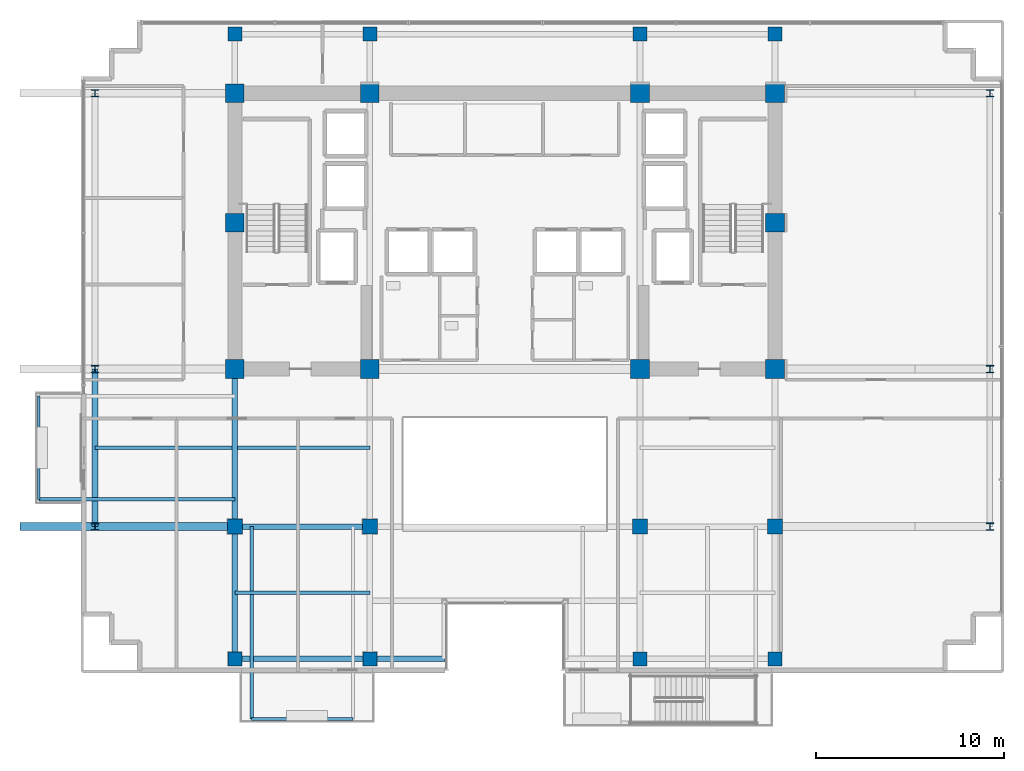
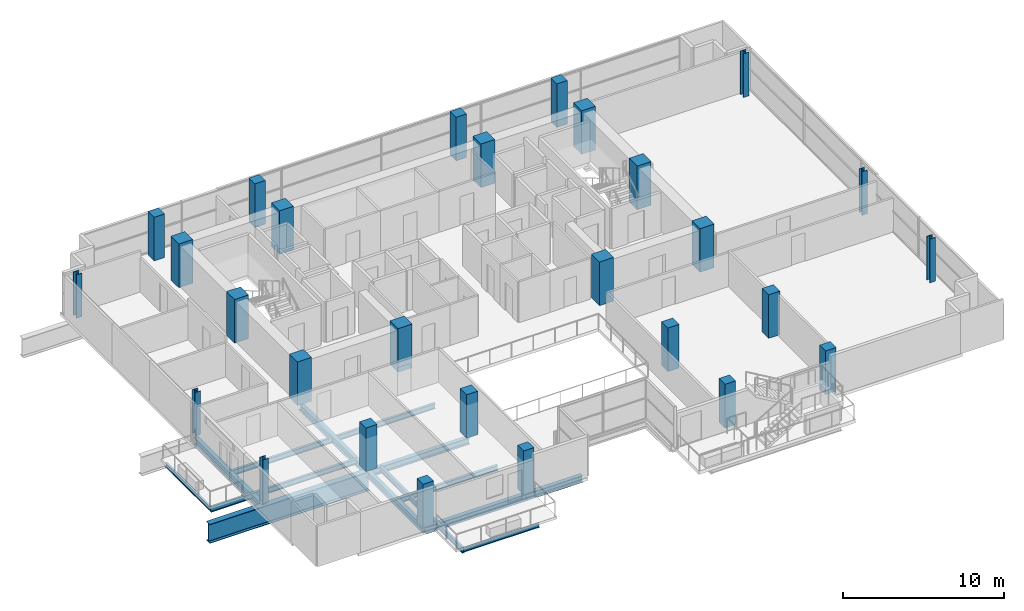
# One storey, part 1 of 23: 28 columns, 14 beams.
"""IFC4 building model written with IfcOpenShell, lengths in metres."""

from ifc_helpers import new_model, si_unit, direction, frame, origin, origin_2d, place, context, subcontext, project, spatial, rectangle, i_section, extrude, material, material_profile, profile_set, type_object, element, save


model = new_model("IFC4")

# Units and contexts
model_context = context("Model", 3, precision=1e-05, world=origin(), true_north=direction((0.0, 1.0)))
body_context = subcontext(model_context, "Body", "Model", "MODEL_VIEW")
ifc_project = project(units=[si_unit("LENGTHUNIT", "METRE"), si_unit("AREAUNIT", "SQUARE_METRE"), si_unit("VOLUMEUNIT", "CUBIC_METRE"), si_unit("PLANEANGLEUNIT", "RADIAN"), si_unit("MASSUNIT", "GRAM", prefix="KILO")], contexts=[model_context])

# Site, building, storey
site_placement = place(None, origin())
site = spatial("IfcSite", under=ifc_project, at=site_placement, CompositionType="ELEMENT")
building_placement = place(site_placement, origin())
building = spatial("IfcBuilding", under=site, at=building_placement, Name="Zarnakvel Exchange Tower", CompositionType="ELEMENT")
storey_placement = place(building_placement, frame((0.0, 0.0, 172.60009765625)))
storey = spatial("IfcBuildingStorey", under=building, at=storey_placement, Name="L48", CompositionType="ELEMENT", Elevation=172.60009765625)

# Columns
ifc_material_1 = material(Name="Concrete C60/75", Category="concrete")
ifc_material_profile_1 = material_profile(ifc_material_1, rectangle(XDim=1.0, YDim=1.0, at=origin_2d()))
ifc_profile_set_1 = profile_set([ifc_material_profile_1], Name="Concrete C60/75")
column_type_1 = type_object("IfcColumnType", Name="CC-02", PredefinedType="COLUMN", material=ifc_profile_set_1)
for number, where, z_axis, x_axis, name in (
    (1, (-14.39990234375, -1.199951171875, 0.0), (0.0, 0.0, 1.0), (1.0, 0.0, 0.0), "L48 Column C-4D (CC-02)"),
    (2, (-7.199951171875, -1.199951171875, 0.0), (0.0, 0.0, 1.0), (1.0, 0.0, 0.0), "L48 Column C-5D (CC-02)"),
    (3, (7.199951171875, -1.199951171875, 0.0), (0.0, 0.0, 1.0), (1.0, 0.0, 0.0), "L48 Column C-8D (CC-02)"),
    (4, (14.39990234375, -1.199951171875, 0.0), (0.0, 0.0, 1.0), (1.0, 0.0, 0.0), "L48 Column C-9D (CC-02)"),
    (5, (-14.39990234375, 6.60009765625, 0.0), (0.0, 0.0, 1.0), (1.0, 0.0, 0.0), "L48 Column C-4E (CC-02)"),
    (6, (14.39990234375, 6.60009765625, 0.0), (0.0, 0.0, 1.0), (1.0, 0.0, 0.0), "L48 Column C-9E (CC-02)"),
    (7, (-14.39990234375, 13.5, 0.0), (0.0, 0.0, 1.0), (1.0, 0.0, 0.0), "L48 Column C-4F (CC-02)"),
    (8, (-7.199951171875, 13.5, 0.0), (0.0, 0.0, 1.0), (1.0, 0.0, 0.0), "L48 Column C-5F (CC-02)"),
    (9, (7.199951171875, 13.5, 0.0), (0.0, 0.0, 1.0), (1.0, 0.0, 0.0), "L48 Column C-8F (CC-02)"),
    (10, (14.39990234375, 13.5, 0.0), (0.0, 0.0, 1.0), (1.0, 0.0, 0.0), "L48 Column C-9F (CC-02)"),
):
    element("IfcColumn", number, at=place(storey_placement, frame(where, z_axis=z_axis, x_axis=x_axis)), inside=storey, type_object=column_type_1, Name=name, PredefinedType="COLUMN", context=body_context, shape_type="SweptSolid", body=[
        extrude(rectangle(XDim=1.0, YDim=1.0, at=origin_2d()), origin(), (0.0, 0.0, 1.0), 3.2998046875),
    ])
ifc_material_2 = material(Name="Steel S355", Category="steel")
ifc_material_profile_2 = material_profile(ifc_material_2, i_section(OverallWidth=0.39892578125, OverallDepth=0.3935546875, WebThickness=0.022705078125, FlangeThickness=0.03662109375, FilletRadius=0.01513671875, at=origin_2d()))
ifc_profile_set_2 = profile_set([ifc_material_profile_2], Name="Steel S355")
column_type_2 = type_object("IfcColumnType", Name="SC-04", PredefinedType="COLUMN", material=ifc_profile_set_2)
for number, where, z_axis, x_axis, name in (
    (11, (-21.85009765625, -9.60009765625, 0.0), (0.0, 0.0, 1.0), (1.0, 0.0, 0.0), "L48 Column TW-C (SC-04)"),
    (12, (25.85009765625, -9.60009765625, 0.0), (0.0, 0.0, 1.0), (1.0, 0.0, 0.0), "L48 Column TE-C (SC-04)"),
    (13, (-21.85009765625, -1.199951171875, 0.0), (0.0, 0.0, 1.0), (1.0, 0.0, 0.0), "L48 Column TW-D (SC-04)"),
    (14, (25.85009765625, -1.199951171875, 0.0), (0.0, 0.0, 1.0), (1.0, 0.0, 0.0), "L48 Column TE-D (SC-04)"),
    (15, (-21.85009765625, 13.5, 0.0), (0.0, 0.0, 1.0), (1.0, 0.0, 0.0), "L48 Column TW-F (SC-04)"),
    (16, (25.85009765625, 13.5, 0.0), (0.0, 0.0, 1.0), (1.0, 0.0, 0.0), "L48 Column TE-F (SC-04)"),
):
    element("IfcColumn", number, at=place(storey_placement, frame(where, z_axis=z_axis, x_axis=x_axis)), inside=storey, type_object=column_type_2, Name=name, PredefinedType="COLUMN", context=body_context, shape_type="SweptSolid", body=[
        extrude(i_section(OverallWidth=0.39892578125, OverallDepth=0.3935546875, WebThickness=0.022705078125, FlangeThickness=0.03662109375, FilletRadius=0.01513671875, at=origin_2d()), origin(), (0.0, 0.0, 1.0), 3.2998046875),
    ])
ifc_material_profile_3 = material_profile(ifc_material_1, rectangle(XDim=0.800048828125, YDim=0.800048828125, at=origin_2d()))
ifc_profile_set_3 = profile_set([ifc_material_profile_3], Name="Concrete C60/75")
column_type_3 = type_object("IfcColumnType", Name="TC-03", PredefinedType="COLUMN", material=ifc_profile_set_3)
for number, where, z_axis, x_axis, name in (
    (17, (-14.39990234375, -9.60009765625, 0.0), (0.0, 0.0, 1.0), (1.0, 0.0, 0.0), "L48 Column T-4C (TC-03)"),
    (18, (-7.199951171875, -9.60009765625, 0.0), (0.0, 0.0, 1.0), (1.0, 0.0, 0.0), "L48 Column T-5C (TC-03)"),
    (19, (7.199951171875, -9.60009765625, 0.0), (0.0, 0.0, 1.0), (1.0, 0.0, 0.0), "L48 Column T-8C (TC-03)"),
    (20, (14.39990234375, -9.60009765625, 0.0), (0.0, 0.0, 1.0), (1.0, 0.0, 0.0), "L48 Column T-9C (TC-03)"),
):
    element("IfcColumn", number, at=place(storey_placement, frame(where, z_axis=z_axis, x_axis=x_axis)), inside=storey, type_object=column_type_3, Name=name, PredefinedType="COLUMN", context=body_context, shape_type="SweptSolid", body=[
        extrude(rectangle(XDim=0.800048828125, YDim=0.800048828125, at=origin_2d()), origin(), (0.0, 0.0, 1.0), 3.2998046875),
    ])
ifc_material_3 = material(Name="Concrete C50/60", Category="concrete")
ifc_material_profile_4 = material_profile(ifc_material_3, rectangle(XDim=0.75, YDim=0.75, at=origin_2d()))
ifc_profile_set_4 = profile_set([ifc_material_profile_4], Name="Concrete C50/60")
column_type_4 = type_object("IfcColumnType", Name="TC-04", PredefinedType="COLUMN", material=ifc_profile_set_4)
for number, where, z_axis, x_axis, name in (
    (21, (-14.39990234375, -16.64990234375, 0.0), (0.0, 0.0, 1.0), (1.0, 0.0, 0.0), "L48 Column TS-4 (TC-04)"),
    (22, (-14.39990234375, 16.64990234375, 0.0), (0.0, 0.0, 1.0), (1.0, 0.0, 0.0), "L48 Column TN-4 (TC-04)"),
    (23, (-7.199951171875, -16.64990234375, 0.0), (0.0, 0.0, 1.0), (1.0, 0.0, 0.0), "L48 Column TS-5 (TC-04)"),
    (24, (-7.199951171875, 16.64990234375, 0.0), (0.0, 0.0, 1.0), (1.0, 0.0, 0.0), "L48 Column TN-5 (TC-04)"),
    (25, (7.199951171875, -16.64990234375, 0.0), (0.0, 0.0, 1.0), (1.0, 0.0, 0.0), "L48 Column TS-8 (TC-04)"),
    (26, (7.199951171875, 16.64990234375, 0.0), (0.0, 0.0, 1.0), (1.0, 0.0, 0.0), "L48 Column TN-8 (TC-04)"),
    (27, (14.39990234375, -16.64990234375, 0.0), (0.0, 0.0, 1.0), (1.0, 0.0, 0.0), "L48 Column TS-9 (TC-04)"),
    (28, (14.39990234375, 16.64990234375, 0.0), (0.0, 0.0, 1.0), (1.0, 0.0, 0.0), "L48 Column TN-9 (TC-04)"),
):
    element("IfcColumn", number, at=place(storey_placement, frame(where, z_axis=z_axis, x_axis=x_axis)), inside=storey, type_object=column_type_4, Name=name, PredefinedType="COLUMN", context=body_context, shape_type="SweptSolid", body=[
        extrude(rectangle(XDim=0.75, YDim=0.75, at=origin_2d()), origin(), (0.0, 0.0, 1.0), 3.2998046875),
    ])

# Beams
ifc_material_profile_5 = material_profile(ifc_material_2, i_section(OverallWidth=0.179931640625, OverallDepth=0.39990234375, WebThickness=0.008544921875, FlangeThickness=0.013427734375, FilletRadius=0.02099609375, at=origin_2d()))
ifc_profile_set_5 = profile_set([ifc_material_profile_5], Name="Steel S355")
beam_type_1 = type_object("IfcBeamType", Name="B-06", PredefinedType="JOIST", material=ifc_profile_set_5)
beam_1_placement = place(storey_placement, frame((-14.39990234375, -13.125, -0.425048828125), z_axis=(1.0, 0.0, 0.0), x_axis=(0.0, 1.0, 0.0)))
element("IfcBeam", 29, at=beam_1_placement, inside=storey, type_object=beam_type_1, Name="L48 Composite Floor Secondary Joist", PredefinedType="JOIST", context=body_context, shape_type="SweptSolid", body=[
    extrude(i_section(OverallWidth=0.179931640625, OverallDepth=0.39990234375, WebThickness=0.008544921875, FlangeThickness=0.013427734375, FilletRadius=0.02099609375, at=origin_2d()), origin(), (0.0, 0.0, 1.0), 7.199951171875),
])
beam_2_placement = place(storey_placement, frame((-21.85009765625, -5.39990234375, -0.425048828125), z_axis=(1.0, 0.0, 0.0), x_axis=(0.0, 1.0, 0.0)))
element("IfcBeam", 30, at=beam_2_placement, inside=storey, type_object=beam_type_1, Name="L48 Composite Floor Secondary Joist", PredefinedType="JOIST", context=body_context, shape_type="SweptSolid", body=[
    extrude(i_section(OverallWidth=0.179931640625, OverallDepth=0.39990234375, WebThickness=0.008544921875, FlangeThickness=0.013427734375, FilletRadius=0.02099609375, at=origin_2d()), origin(), (0.0, 0.0, 1.0), 7.300048828125),
])
beam_3_placement = place(storey_placement, frame((-14.25, -5.39990234375, -0.425048828125), z_axis=(1.0, 0.0, 0.0), x_axis=(0.0, 1.0, 0.0)))
element("IfcBeam", 31, at=beam_3_placement, inside=storey, type_object=beam_type_1, Name="L48 Composite Floor Secondary Joist", PredefinedType="JOIST", context=body_context, shape_type="SweptSolid", body=[
    extrude(i_section(OverallWidth=0.179931640625, OverallDepth=0.39990234375, WebThickness=0.008544921875, FlangeThickness=0.013427734375, FilletRadius=0.02099609375, at=origin_2d()), origin(), (0.0, 0.0, 1.0), 7.050048828125),
])
beam_4_placement = place(storey_placement, frame((-13.5, -9.60009765625, -0.425048828125), z_axis=(0.0, -1.0, 0.0), x_axis=(1.0, 0.0, 0.0)))
element("IfcBeam", 32, at=beam_4_placement, inside=storey, type_object=beam_type_1, Name="L48 Continuous Back-Spanned Balcony Beam W", PredefinedType="JOIST", context=body_context, shape_type="SweptSolid", body=[
    extrude(i_section(OverallWidth=0.179931640625, OverallDepth=0.39990234375, WebThickness=0.008544921875, FlangeThickness=0.013427734375, FilletRadius=0.02099609375, at=origin_2d()), origin(), (0.0, 0.0, 1.0), 10.25),
])
beam_5_placement = place(storey_placement, frame((-14.39990234375, -8.14990234375, -0.425048828125), z_axis=(-1.0, 0.0, 0.0), x_axis=(0.0, -1.0, 0.0)))
element("IfcBeam", 33, at=beam_5_placement, inside=storey, type_object=beam_type_1, Name="L48 Continuous West Loggia Beam S", PredefinedType="JOIST", context=body_context, shape_type="SweptSolid", body=[
    extrude(i_section(OverallWidth=0.179931640625, OverallDepth=0.39990234375, WebThickness=0.008544921875, FlangeThickness=0.013427734375, FilletRadius=0.02099609375, at=origin_2d()), origin(), (0.0, 0.0, 1.0), 10.4501953125),
])
ifc_material_profile_6 = material_profile(ifc_material_2, i_section(OverallWidth=0.14990234375, OverallDepth=0.300048828125, WebThickness=0.007080078125, FlangeThickness=0.0107421875, FilletRadius=0.014892578125, at=origin_2d()))
ifc_profile_set_6 = profile_set([ifc_material_profile_6], Name="Steel S355")
beam_type_2 = type_object("IfcBeamType", Name="B-08", PredefinedType="JOIST", material=ifc_profile_set_6)
beam_6_placement = place(storey_placement, frame((-13.5, -19.85009765625, -0.375), z_axis=(1.0, 0.0, 0.0), x_axis=(0.0, 1.0, 0.0)))
element("IfcBeam", 34, at=beam_6_placement, inside=storey, type_object=beam_type_2, Name="L48 Balcony Edge Beam", PredefinedType="JOIST", context=body_context, shape_type="SweptSolid", body=[
    extrude(i_section(OverallWidth=0.14990234375, OverallDepth=0.300048828125, WebThickness=0.007080078125, FlangeThickness=0.0107421875, FilletRadius=0.014892578125, at=origin_2d()), origin(), (0.0, 0.0, 1.0), 5.39990234375),
])
beam_7_placement = place(storey_placement, frame((-24.85009765625, -8.14990234375, -0.375), z_axis=(0.0, 1.0, 0.0), x_axis=(-1.0, 0.0, 0.0)))
element("IfcBeam", 35, at=beam_7_placement, inside=storey, type_object=beam_type_2, Name="L48 West Loggia Edge Beam", PredefinedType="JOIST", context=body_context, shape_type="SweptSolid", body=[
    extrude(i_section(OverallWidth=0.14990234375, OverallDepth=0.300048828125, WebThickness=0.007080078125, FlangeThickness=0.0107421875, FilletRadius=0.014892578125, at=origin_2d()), origin(), (0.0, 0.0, 1.0), 5.5),
])
ifc_material_profile_7 = material_profile(ifc_material_2, i_section(OverallWidth=0.300048828125, OverallDepth=0.5, WebThickness=0.014404296875, FlangeThickness=0.028076171875, FilletRadius=0.027099609375, at=origin_2d()))
ifc_profile_set_7 = profile_set([ifc_material_profile_7], Name="Steel S355")
beam_type_3 = type_object("IfcBeamType", Name="G-06", PredefinedType="BEAM", material=ifc_profile_set_7)
beam_8_placement = place(storey_placement, frame((-14.39990234375, -9.60009765625, -0.47509765625), z_axis=(1.0, 0.0, 0.0), x_axis=(0.0, 1.0, 0.0)))
element("IfcBeam", 36, at=beam_8_placement, inside=storey, type_object=beam_type_3, Name="L48 Tower E-W Frame Beam", PredefinedType="BEAM", context=body_context, shape_type="SweptSolid", body=[
    extrude(i_section(OverallWidth=0.300048828125, OverallDepth=0.5, WebThickness=0.014404296875, FlangeThickness=0.028076171875, FilletRadius=0.027099609375, at=origin_2d()), origin(), (0.0, 0.0, 1.0), 7.199951171875),
])
beam_9_placement = place(storey_placement, frame((-14.39990234375, -16.64990234375, -0.47509765625), z_axis=(0.0, 1.0, 0.0), x_axis=(-1.0, 0.0, 0.0)))
element("IfcBeam", 37, at=beam_9_placement, inside=storey, type_object=beam_type_3, Name="L48 Tower N-S Frame Beam", PredefinedType="BEAM", context=body_context, shape_type="SweptSolid", body=[
    extrude(i_section(OverallWidth=0.300048828125, OverallDepth=0.5, WebThickness=0.014404296875, FlangeThickness=0.028076171875, FilletRadius=0.027099609375, at=origin_2d()), origin(), (0.0, 0.0, 1.0), 7.0498046875),
])
beam_10_placement = place(storey_placement, frame((-14.39990234375, -9.60009765625, -0.47509765625), z_axis=(0.0, 1.0, 0.0), x_axis=(-1.0, 0.0, 0.0)))
element("IfcBeam", 38, at=beam_10_placement, inside=storey, type_object=beam_type_3, Name="L48 Tower N-S Frame Beam", PredefinedType="BEAM", context=body_context, shape_type="SweptSolid", body=[
    extrude(i_section(OverallWidth=0.300048828125, OverallDepth=0.5, WebThickness=0.014404296875, FlangeThickness=0.028076171875, FilletRadius=0.027099609375, at=origin_2d()), origin(), (0.0, 0.0, 1.0), 8.400146484375),
])
ifc_material_profile_8 = material_profile(ifc_material_2, i_section(OverallWidth=0.300048828125, OverallDepth=0.5, WebThickness=0.014404296875, FlangeThickness=0.028076171875, FilletRadius=0.027099609375, at=origin_2d()))
ifc_profile_set_8 = profile_set([ifc_material_profile_8], Name="Steel S355")
beam_type_4 = type_object("IfcBeamType", Name="SP-02", PredefinedType="SPANDREL", material=ifc_profile_set_8)
beam_11_placement = place(storey_placement, frame((-14.39990234375, -16.64990234375, -0.47509765625), z_axis=(1.0, 0.0, 0.0), x_axis=(0.0, 1.0, 0.0)))
element("IfcBeam", 39, at=beam_11_placement, inside=storey, type_object=beam_type_4, Name="L48 Tower E-W Frame Beam", PredefinedType="SPANDREL", context=body_context, shape_type="SweptSolid", body=[
    extrude(i_section(OverallWidth=0.300048828125, OverallDepth=0.5, WebThickness=0.014404296875, FlangeThickness=0.028076171875, FilletRadius=0.027099609375, at=origin_2d()), origin(), (0.0, 0.0, 1.0), 7.199951171875),
])
beam_12_placement = place(storey_placement, frame((-7.199951171875, -16.64990234375, -0.47509765625), z_axis=(1.0, 0.0, 0.0), x_axis=(0.0, 1.0, 0.0)))
element("IfcBeam", 40, at=beam_12_placement, inside=storey, type_object=beam_type_4, Name="L48 South Slot West Jamb Spandrel", PredefinedType="SPANDREL", context=body_context, shape_type="SweptSolid", body=[
    extrude(i_section(OverallWidth=0.300048828125, OverallDepth=0.5, WebThickness=0.014404296875, FlangeThickness=0.028076171875, FilletRadius=0.027099609375, at=origin_2d()), origin(), (0.0, 0.0, 1.0), 4.0),
])
beam_13_placement = place(storey_placement, frame((-21.85009765625, -9.60009765625, -0.47509765625), z_axis=(0.0, 1.0, 0.0), x_axis=(-1.0, 0.0, 0.0)))
element("IfcBeam", 41, at=beam_13_placement, inside=storey, type_object=beam_type_4, Name="L48 Tower N-S Frame Beam", PredefinedType="SPANDREL", context=body_context, shape_type="SweptSolid", body=[
    extrude(i_section(OverallWidth=0.300048828125, OverallDepth=0.5, WebThickness=0.014404296875, FlangeThickness=0.028076171875, FilletRadius=0.027099609375, at=origin_2d()), origin(), (0.0, 0.0, 1.0), 8.400146484375),
])
ifc_material_4 = material(Name="Steel S460", Category="steel")
ifc_material_profile_9 = material_profile(ifc_material_4, i_section(OverallWidth=0.419921875, OverallDepth=1.449951171875, WebThickness=0.02392578125, FlangeThickness=0.0400390625, FilletRadius=0.030029296875, at=origin_2d()))
ifc_profile_set_9 = profile_set([ifc_material_profile_9], Name="Steel S460")
beam_type_5 = type_object("IfcBeamType", Name="TG-01", PredefinedType="BEAM", material=ifc_profile_set_9)
beam_14_placement = place(storey_placement, frame((-25.85009765625, -9.60009765625, -0.9501953125), z_axis=(1.0, 0.0, 0.0), x_axis=(0.0, 1.0, 0.0)))
element("IfcBeam", 42, at=beam_14_placement, inside=storey, type_object=beam_type_5, Name="L48 Setback E-W Transfer Girder TW-C", PredefinedType="BEAM", context=body_context, shape_type="SweptSolid", body=[
    extrude(i_section(OverallWidth=0.419921875, OverallDepth=1.449951171875, WebThickness=0.02392578125, FlangeThickness=0.0400390625, FilletRadius=0.030029296875, at=origin_2d()), origin(), (0.0, 0.0, 1.0), 11.4501953125),
])

save(model, "model.ifc")
